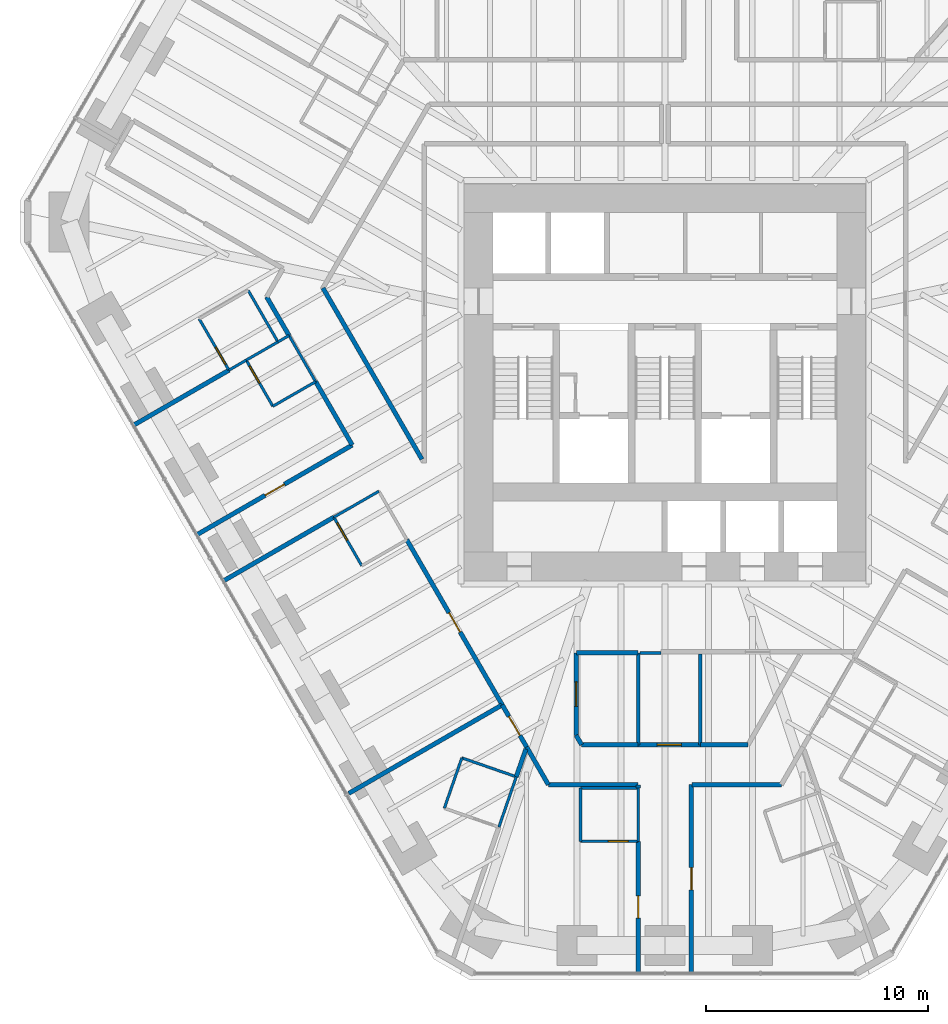
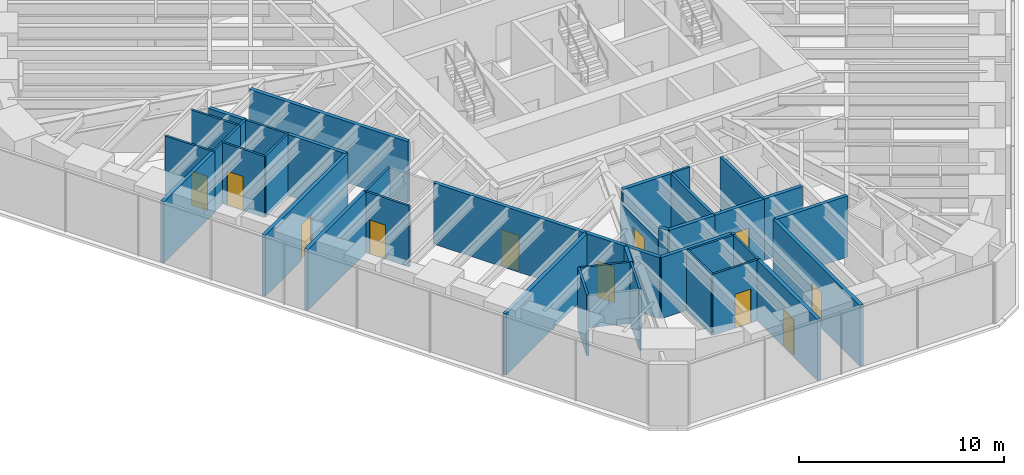
# One storey, part 11 of 16: 42 walls, 11 doors, 11 openings.
"""IFC4 building model written with IfcOpenShell, lengths in metres."""

from ifc_helpers import new_model, si_unit, direction, frame, frame_2d, origin, place, context, subcontext, project, spatial, rectangle, extrude, material, layer, layer_set, type_object, element, fill, save


model = new_model("IFC4")

# Units and contexts
model_context = context("Model", 3, precision=1e-05, world=origin(), true_north=direction((0.0, 1.0)))
body_context = subcontext(model_context, "Body", "Model", "MODEL_VIEW")
ifc_project = project(units=[si_unit("LENGTHUNIT", "METRE"), si_unit("AREAUNIT", "SQUARE_METRE"), si_unit("VOLUMEUNIT", "CUBIC_METRE"), si_unit("PLANEANGLEUNIT", "RADIAN"), si_unit("MASSUNIT", "GRAM", prefix="KILO")], contexts=[model_context])

# Site, building, storey
site_placement = place(None, origin())
site = spatial("IfcSite", under=ifc_project, at=site_placement, CompositionType="ELEMENT")
building_placement = place(site_placement, origin())
building = spatial("IfcBuilding", under=site, at=building_placement, Name="Sandreach Pilgrim Tower", CompositionType="ELEMENT")
storey_placement = place(building_placement, frame((0.0, 0.0, 131.0)))
storey = spatial("IfcBuildingStorey", under=building, at=storey_placement, Name="L32", CompositionType="ELEMENT", Elevation=131.0)

# Walls
ifc_material_1 = material(Name="Gypsum board on steel studs", Category="steel")
ifc_layer_1 = layer(ifc_material_1, 0.14990234375)
ifc_layer_set_1 = layer_set([ifc_layer_1], Name="Back of house wall 150")
wall_type_1 = type_object("IfcWallType", Name="Back of house wall 150", PredefinedType="PARTITIONING", material=ifc_layer_set_1)
wall_1_placement = place(storey_placement, frame((-1.199951171875, -13.75, 0.0), z_axis=(0.0, 0.0, 1.0), x_axis=(0.0, -1.0, 0.0)))
element("IfcWall", 1, at=wall_1_placement, inside=storey, type_object=wall_type_1, Name="Back of house wall L32-064", PredefinedType="PARTITIONING", context=body_context, shape_type="SweptSolid", body=[
    extrude(rectangle(XDim=4.139892578125, YDim=0.14990234375, at=frame_2d((2.06982421875, 0.0))), origin(), (0.0, 0.0, 1.0), 3.639892578125),
])
wall_2_placement = place(storey_placement, frame((1.60009765625, -13.800048828125, 0.0), z_axis=(0.0, 0.0, 1.0), x_axis=(0.0, -1.0, 0.0)))
element("IfcWall", 2, at=wall_2_placement, inside=storey, type_object=wall_type_1, Name="Back of house wall L32-075", PredefinedType="PARTITIONING", context=body_context, shape_type="SweptSolid", body=[
    extrude(rectangle(XDim=4.08984375, YDim=0.14990234375, at=frame_2d((2.044921875, 0.0))), origin(), (0.0, 0.0, 1.0), 3.639892578125),
])

# Wall, opening, door
ifc_material_2 = material(Name="Moisture-resistant gypsum board on steel studs", Category="steel")
ifc_layer_2 = layer(ifc_material_2, 0.1201171875)
ifc_layer_set_2 = layer_set([ifc_layer_2], Name="Bathroom partition 120")
wall_type_2 = type_object("IfcWallType", Name="Bathroom partition 120", PredefinedType="PARTITIONING", material=ifc_layer_set_2)
wall_3_placement = place(storey_placement, frame((-20.989990234375, 1.31005859375, 0.0), z_axis=(0.0, 0.0, 1.0), x_axis=(0.501789229896, -0.86498992408, 0.0)))
wall_3 = element("IfcWall", 3, at=wall_3_placement, inside=storey, type_object=wall_type_2, Name="Bathroom partition L32-007", PredefinedType="PARTITIONING", context=body_context, shape_type="SweptSolid", body=[
    extrude(rectangle(XDim=2.670654296875, YDim=0.1201171875, at=frame_2d((1.33544921875, 0.0))), origin(), (0.0, 0.0, 1.0), 3.639892578125),
])
opening_1_placement = place(wall_3_placement, frame((1.470458984375, 0.0, 0.0)))
opening_1 = element("IfcOpeningElement", 4, at=opening_1_placement, cuts=wall_3, Name="Opening D09-15B", PredefinedType="OPENING", context=body_context, shape_type="SweptSolid", body=[
    extrude(rectangle(XDim=0.89990234375, YDim=2.030029296875, at=frame_2d((0.449951171875, 1.01513671875))), frame((0.0, 0.06005859375, 0.0), z_axis=(0.0, -1.0, 0.0), x_axis=(1.0, 0.0, 0.0)), (0.0, 0.0, 1.0), 0.1201171875),
])
ifc_material_3 = material(Name="Timber door, steel frame", Category="steel")
door_type_1 = type_object("IfcDoorType", Name="Bathroom door", OperationType="SINGLE_SWING_LEFT", PredefinedType="DOOR", material=ifc_material_3)
door_1_placement = place(opening_1_placement, origin())
door_1 = element("IfcDoor", 5, at=door_1_placement, inside=storey, type_object=door_type_1, Name="Door 3215B", OperationType="SINGLE_SWING_RIGHT", OverallHeight=2.030029296875, OverallWidth=0.89990234375, PredefinedType="DOOR", context=body_context, shape_type="SweptSolid", body=[
    extrude(rectangle(XDim=0.89990234375, YDim=2.030029296875, at=frame_2d((0.449951171875, 1.01513671875))), frame((0.0, 0.02490234375, 0.0), z_axis=(0.0, -1.0, 0.0), x_axis=(1.0, 0.0, 0.0)), (0.0, 0.0, 1.0), 0.050048828125),
])
fill(opening_1, door_1)

# Wall
wall_4_placement = place(storey_placement, frame((-19.648193359375, -1.0029296875, 0.0), z_axis=(0.0, 0.0, 1.0), x_axis=(0.864260452894, 0.503044599974, 0.0)))
element("IfcWall", 6, at=wall_4_placement, inside=storey, type_object=wall_type_2, Name="Bathroom partition L32-009", PredefinedType="PARTITIONING", context=body_context, shape_type="SweptSolid", body=[
    extrude(rectangle(XDim=0.900390625, YDim=0.1201171875, at=frame_2d((0.4501953125, 0.0))), origin(), (0.0, 0.0, 1.0), 3.639892578125),
])

# Wall, opening, door
wall_5_placement = place(storey_placement, frame((-18.8701171875, -0.550048828125, 0.0), z_axis=(0.0, 0.0, 1.0), x_axis=(0.499813401482, -0.866133109688, 0.0)))
wall_5 = element("IfcWall", 7, at=wall_5_placement, inside=storey, type_object=wall_type_2, Name="Bathroom partition L32-010", PredefinedType="PARTITIONING", context=body_context, shape_type="SweptSolid", body=[
    extrude(rectangle(XDim=2.4013671875, YDim=0.1201171875, at=frame_2d((1.20068359375, 0.0))), origin(), (0.0, 0.0, 1.0), 3.639892578125),
])
opening_2_placement = place(wall_5_placement, frame((0.300048828125, 0.0, 0.0)))
opening_2 = element("IfcOpeningElement", 8, at=opening_2_placement, cuts=wall_5, Name="Opening D09-14B", PredefinedType="OPENING", context=body_context, shape_type="SweptSolid", body=[
    extrude(rectangle(XDim=0.89990234375, YDim=2.030029296875, at=frame_2d((0.449951171875, 1.01513671875))), frame((0.0, 0.06005859375, 0.0), z_axis=(0.0, -1.0, 0.0), x_axis=(1.0, 0.0, 0.0)), (0.0, 0.0, 1.0), 0.1201171875),
])
door_2_placement = place(opening_2_placement, origin())
door_2 = element("IfcDoor", 9, at=door_2_placement, inside=storey, type_object=door_type_1, Name="Door 3214B", OperationType="SINGLE_SWING_LEFT", OverallHeight=2.030029296875, OverallWidth=0.89990234375, PredefinedType="DOOR", context=body_context, shape_type="SweptSolid", body=[
    extrude(rectangle(XDim=0.89990234375, YDim=2.030029296875, at=frame_2d((0.449951171875, 1.01513671875))), frame((0.0, 0.02490234375, 0.0), z_axis=(0.0, -1.0, 0.0), x_axis=(1.0, 0.0, 0.0)), (0.0, 0.0, 1.0), 0.050048828125),
])
fill(opening_2, door_2)

# Walls
wall_6_placement = place(storey_placement, frame((-18.8701171875, -0.550048828125, 0.0), z_axis=(0.0, 0.0, 1.0), x_axis=(0.867504015586, 0.497430178961, 0.0)))
element("IfcWall", 10, at=wall_6_placement, inside=storey, type_object=wall_type_2, Name="Bathroom partition L32-011", PredefinedType="PARTITIONING", context=body_context, shape_type="SweptSolid", body=[
    extrude(rectangle(XDim=1.648681640625, YDim=0.1201171875, at=frame_2d((0.82421875, 0.0))), origin(), (0.0, 0.0, 1.0), 3.639892578125),
])
wall_7_placement = place(storey_placement, frame((-17.669921875, -2.6298828125, 0.0), z_axis=(0.0, 0.0, 1.0), x_axis=(0.86687668408, 0.498522631983, 0.0)))
element("IfcWall", 11, at=wall_7_placement, inside=storey, type_object=wall_type_2, Name="Bathroom partition L32-014", PredefinedType="PARTITIONING", context=body_context, shape_type="SweptSolid", body=[
    extrude(rectangle(XDim=2.226318359375, YDim=0.1201171875, at=frame_2d((1.11328125, 0.0))), origin(), (0.0, 0.0, 1.0), 3.639892578125),
])
wall_8_placement = place(storey_placement, frame((-17.43994140625, 0.27001953125, 0.0), z_axis=(0.0, 0.0, 1.0), x_axis=(-0.500166770141, 0.865929097586, 0.0)))
element("IfcWall", 12, at=wall_8_placement, inside=storey, type_object=wall_type_2, Name="Bathroom partition L32-015", PredefinedType="PARTITIONING", context=body_context, shape_type="SweptSolid", body=[
    extrude(rectangle(XDim=2.67919921875, YDim=0.1201171875, at=frame_2d((1.339599609375, 0.0))), origin(), (0.0, 0.0, 1.0), 3.639892578125),
])
wall_9_placement = place(storey_placement, frame((-17.43994140625, 0.27001953125, 0.0), z_axis=(0.0, 0.0, 1.0), x_axis=(0.865001858693, 0.501768656312, 0.0)))
element("IfcWall", 13, at=wall_9_placement, inside=storey, type_object=wall_type_2, Name="Bathroom partition L32-016", PredefinedType="PARTITIONING", context=body_context, shape_type="SweptSolid", body=[
    extrude(rectangle(XDim=0.578125, YDim=0.1201171875, at=frame_2d((0.2890625, 0.0))), origin(), (0.0, 0.0, 1.0), 3.639892578125),
])
wall_10_placement = place(storey_placement, frame((-16.93994140625, 0.56005859375, 0.0), z_axis=(0.0, 0.0, 1.0), x_axis=(0.499693115345, -0.866202511239, 0.0)))
element("IfcWall", 14, at=wall_10_placement, inside=storey, type_object=wall_type_2, Name="Bathroom partition L32-018", PredefinedType="PARTITIONING", context=body_context, shape_type="SweptSolid", body=[
    extrude(rectangle(XDim=2.4013671875, YDim=0.1201171875, at=frame_2d((1.20068359375, 0.0))), origin(), (0.0, 0.0, 1.0), 3.639892578125),
])

# Wall, opening, door
wall_11_placement = place(storey_placement, frame((-14.919921875, -7.6298828125, 0.0), z_axis=(0.0, 0.0, 1.0), x_axis=(0.498665353881, -0.866794592068, 0.0)))
wall_11 = element("IfcWall", 15, at=wall_11_placement, inside=storey, type_object=wall_type_2, Name="Bathroom partition L32-027", PredefinedType="PARTITIONING", context=body_context, shape_type="SweptSolid", body=[
    extrude(rectangle(XDim=2.52685546875, YDim=0.1201171875, at=frame_2d((1.263427734375, 0.0))), origin(), (0.0, 0.0, 1.0), 3.639892578125),
])
opening_3_placement = place(wall_11_placement, frame((0.300048828125, 0.0, 0.0)))
opening_3 = element("IfcOpeningElement", 16, at=opening_3_placement, cuts=wall_11, Name="Opening D09-13B", PredefinedType="OPENING", context=body_context, shape_type="SweptSolid", body=[
    extrude(rectangle(XDim=0.89990234375, YDim=2.030029296875, at=frame_2d((0.449951171875, 1.01513671875))), frame((0.0, 0.06005859375, 0.0), z_axis=(0.0, -1.0, 0.0), x_axis=(1.0, 0.0, 0.0)), (0.0, 0.0, 1.0), 0.1201171875),
])
door_3_placement = place(opening_3_placement, origin())
door_3 = element("IfcDoor", 17, at=door_3_placement, inside=storey, type_object=door_type_1, Name="Door 3213B", OperationType="SINGLE_SWING_LEFT", OverallHeight=2.030029296875, OverallWidth=0.89990234375, PredefinedType="DOOR", context=body_context, shape_type="SweptSolid", body=[
    extrude(rectangle(XDim=0.89990234375, YDim=2.030029296875, at=frame_2d((0.449951171875, 1.01513671875))), frame((0.0, 0.02490234375, 0.0), z_axis=(0.0, -1.0, 0.0), x_axis=(1.0, 0.0, 0.0)), (0.0, 0.0, 1.0), 0.050048828125),
])
fill(opening_3, door_3)

# Walls
wall_12_placement = place(storey_placement, frame((-14.919921875, -7.6298828125, 0.0), z_axis=(0.0, 0.0, 1.0), x_axis=(0.866390229467, 0.499367570316, 0.0)))
element("IfcWall", 18, at=wall_12_placement, inside=storey, type_object=wall_type_2, Name="Bathroom partition L32-028", PredefinedType="PARTITIONING", context=body_context, shape_type="SweptSolid", body=[
    extrude(rectangle(XDim=2.3427734375, YDim=0.1201171875, at=frame_2d((1.17138671875, 0.0))), origin(), (0.0, 0.0, 1.0), 3.639892578125),
])
wall_13_placement = place(storey_placement, frame((-9.14990234375, -18.47998046875, 0.0), z_axis=(0.0, 0.0, 1.0), x_axis=(-0.328693963496, -0.944436487203, 0.0)))
element("IfcWall", 19, at=wall_13_placement, inside=storey, type_object=wall_type_2, Name="Bathroom partition L32-047", PredefinedType="PARTITIONING", context=body_context, shape_type="SweptSolid", body=[
    extrude(rectangle(XDim=2.403564453125, YDim=0.1201171875, at=frame_2d((1.20166015625, 0.0))), origin(), (0.0, 0.0, 1.0), 3.639892578125),
])
wall_14_placement = place(storey_placement, frame((-7.47998046875, -21.60009765625, 0.0), z_axis=(0.0, 0.0, 1.0), x_axis=(0.326492166492, 0.945199907543, 0.0)))
element("IfcWall", 20, at=wall_14_placement, inside=storey, type_object=wall_type_2, Name="Bathroom partition L32-048", PredefinedType="PARTITIONING", context=body_context, shape_type="SweptSolid", body=[
    extrude(rectangle(XDim=2.400390625, YDim=0.1201171875, at=frame_2d((1.2001953125, 0.0))), origin(), (0.0, 0.0, 1.0), 3.639892578125),
])
wall_15_placement = place(storey_placement, frame((-6.699951171875, -19.330078125, 0.0), z_axis=(0.0, 0.0, 1.0), x_axis=(-0.944753042377, 0.327782990589, 0.0)))
element("IfcWall", 21, at=wall_15_placement, inside=storey, type_object=wall_type_2, Name="Bathroom partition L32-050", PredefinedType="PARTITIONING", context=body_context, shape_type="SweptSolid", body=[
    extrude(rectangle(XDim=2.593505859375, YDim=0.1201171875, at=frame_2d((1.296875, 0.0))), origin(), (0.0, 0.0, 1.0), 3.639892578125),
])

# Wall, opening, door
wall_16_placement = place(storey_placement, frame((-3.800048828125, -22.239990234375, 0.0), z_axis=(0.0, 0.0, 1.0), x_axis=(1.0, 0.0, 0.0)))
wall_16 = element("IfcWall", 22, at=wall_16_placement, inside=storey, type_object=wall_type_2, Name="Bathroom partition L32-056", PredefinedType="PARTITIONING", context=body_context, shape_type="SweptSolid", body=[
    extrude(rectangle(XDim=2.60009765625, YDim=0.1201171875, at=frame_2d((1.300048828125, 0.0))), origin(), (0.0, 0.0, 1.0), 3.639892578125),
])
opening_4_placement = place(wall_16_placement, frame((1.25, 0.0, 0.0)))
opening_4 = element("IfcOpeningElement", 23, at=opening_4_placement, cuts=wall_16, Name="Opening D09-11B", PredefinedType="OPENING", context=body_context, shape_type="SweptSolid", body=[
    extrude(rectangle(XDim=0.89990234375, YDim=2.030029296875, at=frame_2d((0.449951171875, 1.01513671875))), frame((0.0, 0.06005859375, 0.0), z_axis=(0.0, -1.0, 0.0), x_axis=(1.0, 0.0, 0.0)), (0.0, 0.0, 1.0), 0.1201171875),
])
door_4_placement = place(opening_4_placement, origin())
door_4 = element("IfcDoor", 24, at=door_4_placement, inside=storey, type_object=door_type_1, Name="Door 3211B", OperationType="SINGLE_SWING_RIGHT", OverallHeight=2.030029296875, OverallWidth=0.89990234375, PredefinedType="DOOR", context=body_context, shape_type="SweptSolid", body=[
    extrude(rectangle(XDim=0.89990234375, YDim=2.030029296875, at=frame_2d((0.449951171875, 1.01513671875))), frame((0.0, 0.02490234375, 0.0), z_axis=(0.0, -1.0, 0.0), x_axis=(1.0, 0.0, 0.0)), (0.0, 0.0, 1.0), 0.050048828125),
])
fill(opening_4, door_4)

# Walls
wall_17_placement = place(storey_placement, frame((-3.800048828125, -19.840087890625, 0.0), z_axis=(0.0, 0.0, 1.0), x_axis=(0.0, -1.0, 0.0)))
element("IfcWall", 25, at=wall_17_placement, inside=storey, type_object=wall_type_2, Name="Bathroom partition L32-057", PredefinedType="PARTITIONING", context=body_context, shape_type="SweptSolid", body=[
    extrude(rectangle(XDim=2.39990234375, YDim=0.1201171875, at=frame_2d((1.199951171875, 0.0))), origin(), (0.0, 0.0, 1.0), 3.639892578125),
])
wall_18_placement = place(storey_placement, frame((-1.199951171875, -19.840087890625, 0.0), z_axis=(0.0, 0.0, 1.0), x_axis=(-1.0, 0.0, 0.0)))
element("IfcWall", 26, at=wall_18_placement, inside=storey, type_object=wall_type_2, Name="Bathroom partition L32-060", PredefinedType="PARTITIONING", context=body_context, shape_type="SweptSolid", body=[
    extrude(rectangle(XDim=2.60009765625, YDim=0.1201171875, at=frame_2d((1.300048828125, 0.0))), origin(), (0.0, 0.0, 1.0), 3.639892578125),
])
wall_19_placement = place(storey_placement, frame((-1.199951171875, -19.840087890625, 0.0), z_axis=(0.0, 0.0, 1.0), x_axis=(0.0, -1.0, 0.0)))
element("IfcWall", 27, at=wall_19_placement, inside=storey, type_object=wall_type_2, Name="Bathroom partition L32-061", PredefinedType="PARTITIONING", context=body_context, shape_type="SweptSolid", body=[
    extrude(rectangle(XDim=2.39990234375, YDim=0.1201171875, at=frame_2d((1.199951171875, 0.0))), origin(), (0.0, 0.0, 1.0), 3.639892578125),
])
wall_20_placement = place(storey_placement, frame((-1.125, -13.75, 0.0), z_axis=(0.0, 0.0, 1.0), x_axis=(1.0, 0.0, 0.0)))
element("IfcWall", 28, at=wall_20_placement, inside=storey, type_object=wall_type_2, Name="Bathroom partition L32-065", PredefinedType="PARTITIONING", context=body_context, shape_type="SweptSolid", body=[
    extrude(rectangle(XDim=0.955078125, YDim=0.1201171875, at=frame_2d((0.4775390625, 0.0))), origin(), (0.0, 0.0, 1.0), 3.639892578125),
])
ifc_material_4 = material(Name="Gypsum board on steel studs, two layers each side", Category="steel")
ifc_layer_3 = layer(ifc_material_4, 0.199951171875)
ifc_layer_set_3 = layer_set([ifc_layer_3], Name="Corridor wall 200")
wall_type_3 = type_object("IfcWallType", Name="Corridor wall 200", PredefinedType="PARTITIONING", material=ifc_layer_set_3)
wall_21_placement = place(storey_placement, frame((-19.884033203125, -10.4951171875, 0.0), z_axis=(0.0, 0.0, 1.0), x_axis=(0.86608558139, 0.499895754841, 0.0)))
element("IfcWall", 29, at=wall_21_placement, inside=storey, type_object=wall_type_3, Name="Corridor wall L32-008", PredefinedType="PARTITIONING", context=body_context, shape_type="SweptSolid", body=[
    extrude(rectangle(XDim=5.731689453125, YDim=0.199951171875, at=frame_2d((2.86572265625, 0.0))), origin(), (0.0, 0.0, 1.0), 3.639892578125),
])
wall_22_placement = place(storey_placement, frame((-17.949951171875, 2.300048828125, 0.0), z_axis=(0.0, 0.0, 1.0), x_axis=(0.502021340952, -0.864855232527, 0.0)))
element("IfcWall", 30, at=wall_22_placement, inside=storey, type_object=wall_type_3, Name="Corridor wall L32-013", PredefinedType="PARTITIONING", context=body_context, shape_type="SweptSolid", body=[
    extrude(rectangle(XDim=2.011962890625, YDim=0.199951171875, at=frame_2d((1.005859375, 0.0))), origin(), (0.0, 0.0, 1.0), 3.639892578125),
])
wall_23_placement = place(storey_placement, frame((-15.739990234375, -1.52001953125, 0.0), z_axis=(0.0, 0.0, 1.0), x_axis=(0.499728874041, -0.866181881853, 0.0)))
element("IfcWall", 31, at=wall_23_placement, inside=storey, type_object=wall_type_3, Name="Corridor wall L32-023", PredefinedType="PARTITIONING", context=body_context, shape_type="SweptSolid", body=[
    extrude(rectangle(XDim=3.291748046875, YDim=0.199951171875, at=frame_2d((1.64599609375, 0.0))), origin(), (0.0, 0.0, 1.0), 3.639892578125),
])

# Wall, opening, door
wall_24_placement = place(storey_placement, frame((-14.090087890625, -4.3798828125, 0.0), z_axis=(0.0, 0.0, 1.0), x_axis=(-0.866174008169, -0.499742521277, 0.0)))
wall_24 = element("IfcWall", 32, at=wall_24_placement, inside=storey, type_object=wall_type_3, Name="Corridor wall L32-032", PredefinedType="PARTITIONING", context=body_context, shape_type="SweptSolid", body=[
    extrude(rectangle(XDim=8.074462890625, YDim=0.199951171875, at=frame_2d((4.037109375, 0.0))), origin(), (0.0, 0.0, 1.0), 3.639892578125),
])
opening_5_placement = place(wall_24_placement, frame((3.537353515625, 0.0, 0.0)))
opening_5 = element("IfcOpeningElement", 33, at=opening_5_placement, cuts=wall_24, Name="Opening D10-14", PredefinedType="OPENING", context=body_context, shape_type="SweptSolid", body=[
    extrude(rectangle(XDim=1.0, YDim=2.1298828125, at=frame_2d((0.5, 1.06494140625))), frame((0.0, 0.10009765625, 0.0), z_axis=(0.0, -1.0, 0.0), x_axis=(1.0, 0.0, 0.0)), (0.0, 0.0, 1.0), 0.199951171875),
])
ifc_material_5 = material(Name="Steel door and frame", Category="steel")
door_type_2 = type_object("IfcDoorType", Name="Guest room entry door", OperationType="SINGLE_SWING_LEFT", PredefinedType="DOOR", material=ifc_material_5)
door_5_placement = place(opening_5_placement, origin())
door_5 = element("IfcDoor", 34, at=door_5_placement, inside=storey, type_object=door_type_2, Name="Door 3214", OperationType="SINGLE_SWING_LEFT", OverallHeight=2.1298828125, OverallWidth=1.0, PredefinedType="DOOR", context=body_context, shape_type="SweptSolid", body=[
    extrude(rectangle(XDim=1.0, YDim=2.1298828125, at=frame_2d((0.5, 1.06494140625))), frame((0.0, 0.02490234375, 0.0), z_axis=(0.0, -1.0, 0.0), x_axis=(1.0, 0.0, 0.0)), (0.0, 0.0, 1.0), 0.050048828125),
])
fill(opening_5, door_5)

wall_25_placement = place(storey_placement, frame((-11.6298828125, -8.64990234375, 0.0), z_axis=(0.0, 0.0, 1.0), x_axis=(0.500367528775, -0.865813106939, 0.0)))
wall_25 = element("IfcWall", 35, at=wall_25_placement, inside=storey, type_object=wall_type_3, Name="Corridor wall L32-039", PredefinedType="PARTITIONING", context=body_context, shape_type="SweptSolid", body=[
    extrude(rectangle(XDim=8.59326171875, YDim=0.199951171875, at=frame_2d((4.296630859375, 0.0))), origin(), (0.0, 0.0, 1.0), 3.639892578125),
])
opening_6_placement = place(wall_25_placement, frame((3.796630859375, 0.0, 0.0)))
opening_6 = element("IfcOpeningElement", 36, at=opening_6_placement, cuts=wall_25, Name="Opening D10-13", PredefinedType="OPENING", context=body_context, shape_type="SweptSolid", body=[
    extrude(rectangle(XDim=1.0, YDim=2.1298828125, at=frame_2d((0.5, 1.06494140625))), frame((0.0, 0.10009765625, 0.0), z_axis=(0.0, -1.0, 0.0), x_axis=(1.0, 0.0, 0.0)), (0.0, 0.0, 1.0), 0.199951171875),
])
door_6_placement = place(opening_6_placement, origin())
door_6 = element("IfcDoor", 37, at=door_6_placement, inside=storey, type_object=door_type_2, Name="Door 3213", OperationType="SINGLE_SWING_LEFT", OverallHeight=2.1298828125, OverallWidth=1.0, PredefinedType="DOOR", context=body_context, shape_type="SweptSolid", body=[
    extrude(rectangle(XDim=1.0, YDim=2.1298828125, at=frame_2d((0.5, 1.06494140625))), frame((0.0, 0.02490234375, 0.0), z_axis=(0.0, -1.0, 0.0), x_axis=(1.0, 0.0, 0.0)), (0.0, 0.0, 1.0), 0.050048828125),
])
fill(opening_6, door_6)

# Wall
wall_26_placement = place(storey_placement, frame((-10.947509765625, -5.021240234375, 0.0), z_axis=(0.0, 0.0, 1.0), x_axis=(-0.500384322182, 0.865803401538, 0.0)))
element("IfcWall", 38, at=wall_26_placement, inside=storey, type_object=wall_type_3, Name="Corridor wall L32-040", PredefinedType="PARTITIONING", context=body_context, shape_type="SweptSolid", body=[
    extrude(rectangle(XDim=8.91796875, YDim=0.199951171875, at=frame_2d((4.458984375, 0.0))), origin(), (0.0, 0.0, 1.0), 3.639892578125),
])

# Wall, opening, door
wall_27_placement = place(storey_placement, frame((-7.330078125, -16.090087890625, 0.0), z_axis=(0.0, 0.0, 1.0), x_axis=(0.501088872721, -0.865395829453, 0.0)))
wall_27 = element("IfcWall", 39, at=wall_27_placement, inside=storey, type_object=wall_type_3, Name="Corridor wall L32-049", PredefinedType="PARTITIONING", context=body_context, shape_type="SweptSolid", body=[
    extrude(rectangle(XDim=2.1953125, YDim=0.199951171875, at=frame_2d((1.09765625, 0.0))), origin(), (0.0, 0.0, 1.0), 3.639892578125),
])
opening_7_placement = place(wall_27_placement, frame((0.59765625, 0.0, 0.0)))
opening_7 = element("IfcOpeningElement", 40, at=opening_7_placement, cuts=wall_27, Name="Opening D10-12", PredefinedType="OPENING", context=body_context, shape_type="SweptSolid", body=[
    extrude(rectangle(XDim=1.0, YDim=2.1298828125, at=frame_2d((0.5, 1.06494140625))), frame((0.0, 0.10009765625, 0.0), z_axis=(0.0, -1.0, 0.0), x_axis=(1.0, 0.0, 0.0)), (0.0, 0.0, 1.0), 0.199951171875),
])
door_7_placement = place(opening_7_placement, origin())
door_7 = element("IfcDoor", 41, at=door_7_placement, inside=storey, type_object=door_type_2, Name="Door 3212", OperationType="SINGLE_SWING_LEFT", OverallHeight=2.1298828125, OverallWidth=1.0, PredefinedType="DOOR", context=body_context, shape_type="SweptSolid", body=[
    extrude(rectangle(XDim=1.0, YDim=2.1298828125, at=frame_2d((0.5, 1.06494140625))), frame((0.0, 0.02490234375, 0.0), z_axis=(0.0, -1.0, 0.0), x_axis=(1.0, 0.0, 0.0)), (0.0, 0.0, 1.0), 0.050048828125),
])
fill(opening_7, door_7)

# Walls
wall_28_placement = place(storey_placement, frame((-6.22998046875, -17.989990234375, 0.0), z_axis=(0.0, 0.0, 1.0), x_axis=(0.499431599995, -0.866353321068, 0.0)))
element("IfcWall", 42, at=wall_28_placement, inside=storey, type_object=wall_type_3, Name="Corridor wall L32-052", PredefinedType="PARTITIONING", context=body_context, shape_type="SweptSolid", body=[
    extrude(rectangle(XDim=1.962158203125, YDim=0.199951171875, at=frame_2d((0.98095703125, 0.0))), origin(), (0.0, 0.0, 1.0), 3.639892578125),
])
wall_29_placement = place(storey_placement, frame((-5.25, -19.68994140625, 0.0), z_axis=(0.0, 0.0, 1.0), x_axis=(1.0, 0.0, 0.0)))
element("IfcWall", 43, at=wall_29_placement, inside=storey, type_object=wall_type_3, Name="Corridor wall L32-053", PredefinedType="PARTITIONING", context=body_context, shape_type="SweptSolid", body=[
    extrude(rectangle(XDim=4.050048828125, YDim=0.199951171875, at=frame_2d((2.02490234375, 0.0))), origin(), (0.0, 0.0, 1.0), 3.639892578125),
])

# Wall, opening, door
wall_30_placement = place(storey_placement, frame((-4.0, -17.4599609375, 0.0), z_axis=(0.0, 0.0, 1.0), x_axis=(0.0, 1.0, 0.0)))
wall_30 = element("IfcWall", 44, at=wall_30_placement, inside=storey, type_object=wall_type_3, Name="Corridor wall L32-054", PredefinedType="PARTITIONING", context=body_context, shape_type="SweptSolid", body=[
    extrude(rectangle(XDim=3.7099609375, YDim=0.199951171875, at=frame_2d((1.85498046875, 0.0))), origin(), (0.0, 0.0, 1.0), 2.8779296875),
])
opening_8_placement = place(wall_30_placement, frame((1.304931640625, 0.0, 0.0)))
opening_8 = element("IfcOpeningElement", 45, at=opening_8_placement, cuts=wall_30, Name="Opening D11H-S2", PredefinedType="OPENING", context=body_context, shape_type="SweptSolid", body=[
    extrude(rectangle(XDim=1.10009765625, YDim=2.199951171875, at=frame_2d((0.550048828125, 1.10009765625))), frame((0.0, 0.10009765625, 0.0), z_axis=(0.0, -1.0, 0.0), x_axis=(1.0, 0.0, 0.0)), (0.0, 0.0, 1.0), 0.199951171875),
])
ifc_material_6 = material(Name="Steel door and frame", Category="steel")
door_type_3 = type_object("IfcDoorType", Name="Back of house door", OperationType="SINGLE_SWING_LEFT", PredefinedType="DOOR", material=ifc_material_6)
door_8_placement = place(opening_8_placement, origin())
door_8 = element("IfcDoor", 46, at=door_8_placement, inside=storey, type_object=door_type_3, Name="Door 32S2", OperationType="SINGLE_SWING_LEFT", OverallHeight=2.199951171875, OverallWidth=1.10009765625, PredefinedType="DOOR", context=body_context, shape_type="SweptSolid", body=[
    extrude(rectangle(XDim=1.10009765625, YDim=2.199951171875, at=frame_2d((0.550048828125, 1.10009765625))), frame((0.0, 0.02490234375, 0.0), z_axis=(0.0, -1.0, 0.0), x_axis=(1.0, 0.0, 0.0)), (0.0, 0.0, 1.0), 0.050048828125),
])
fill(opening_8, door_8)

# Walls
wall_31_placement = place(storey_placement, frame((-3.989990234375, -13.75, 0.0), z_axis=(0.0, 0.0, 1.0), x_axis=(1.0, 0.0, 0.0)))
element("IfcWall", 47, at=wall_31_placement, inside=storey, type_object=wall_type_3, Name="Corridor wall L32-055", PredefinedType="PARTITIONING", context=body_context, shape_type="SweptSolid", body=[
    extrude(rectangle(XDim=2.7900390625, YDim=0.199951171875, at=frame_2d((1.39501953125, 0.0))), origin(), (0.0, 0.0, 1.0), 3.639892578125),
])
wall_32_placement = place(storey_placement, frame((-3.75, -17.889892578125, 0.0), z_axis=(0.0, 0.0, 1.0), x_axis=(-0.502680181512, 0.864472460588, 0.0)))
element("IfcWall", 48, at=wall_32_placement, inside=storey, type_object=wall_type_3, Name="Corridor wall L32-058", PredefinedType="PARTITIONING", context=body_context, shape_type="SweptSolid", body=[
    extrude(rectangle(XDim=0.497314453125, YDim=0.199951171875, at=frame_2d((0.24853515625, 0.0))), origin(), (0.0, 0.0, 1.0), 3.639892578125),
])

# Wall, opening, door
wall_33_placement = place(storey_placement, frame((-1.199951171875, -22.239990234375, 0.0), z_axis=(0.0, 0.0, 1.0), x_axis=(0.0, -1.0, 0.0)))
wall_33 = element("IfcWall", 49, at=wall_33_placement, inside=storey, type_object=wall_type_3, Name="Corridor wall L32-059", PredefinedType="PARTITIONING", context=body_context, shape_type="SweptSolid", body=[
    extrude(rectangle(XDim=5.919921875, YDim=0.199951171875, at=frame_2d((2.9599609375, 0.0))), origin(), (0.0, 0.0, 1.0), 3.639892578125),
])
opening_9_placement = place(wall_33_placement, frame((2.4599609375, 0.0, 0.0)))
opening_9 = element("IfcOpeningElement", 50, at=opening_9_placement, cuts=wall_33, Name="Opening D10-11", PredefinedType="OPENING", context=body_context, shape_type="SweptSolid", body=[
    extrude(rectangle(XDim=1.0, YDim=2.1298828125, at=frame_2d((0.5, 1.06494140625))), frame((0.0, 0.10009765625, 0.0), z_axis=(0.0, -1.0, 0.0), x_axis=(1.0, 0.0, 0.0)), (0.0, 0.0, 1.0), 0.199951171875),
])
door_9_placement = place(opening_9_placement, origin())
door_9 = element("IfcDoor", 51, at=door_9_placement, inside=storey, type_object=door_type_2, Name="Door 3211", OperationType="SINGLE_SWING_LEFT", OverallHeight=2.1298828125, OverallWidth=1.0, PredefinedType="DOOR", context=body_context, shape_type="SweptSolid", body=[
    extrude(rectangle(XDim=1.0, YDim=2.1298828125, at=frame_2d((0.5, 1.06494140625))), frame((0.0, 0.02490234375, 0.0), z_axis=(0.0, -1.0, 0.0), x_axis=(1.0, 0.0, 0.0)), (0.0, 0.0, 1.0), 0.050048828125),
])
fill(opening_9, door_9)

# Walls
wall_34_placement = place(storey_placement, frame((-1.199951171875, -19.699951171875, 0.0), z_axis=(0.0, 0.0, 1.0), x_axis=(0.0, -1.0, 0.0)))
element("IfcWall", 52, at=wall_34_placement, inside=storey, type_object=wall_type_3, Name="Corridor wall L32-062", PredefinedType="PARTITIONING", context=body_context, shape_type="SweptSolid", body=[
    extrude(rectangle(XDim=0.14013671875, YDim=0.199951171875, at=frame_2d((0.070068359375, 0.0))), origin(), (0.0, 0.0, 1.0), 3.639892578125),
])
wall_35_placement = place(storey_placement, frame((-1.199951171875, -17.889892578125, 0.0), z_axis=(0.0, 0.0, 1.0), x_axis=(-1.0, 0.0, 0.0)))
element("IfcWall", 53, at=wall_35_placement, inside=storey, type_object=wall_type_3, Name="Corridor wall L32-063", PredefinedType="PARTITIONING", context=body_context, shape_type="SweptSolid", body=[
    extrude(rectangle(XDim=2.550048828125, YDim=0.199951171875, at=frame_2d((1.27490234375, 0.0))), origin(), (0.0, 0.0, 1.0), 3.639892578125),
])

# Wall, opening, door
wall_36_placement = place(storey_placement, frame((1.199951171875, -28.159912109375, 0.0), z_axis=(0.0, 0.0, 1.0), x_axis=(0.0, 1.0, 0.0)))
wall_36 = element("IfcWall", 54, at=wall_36_placement, inside=storey, type_object=wall_type_3, Name="Corridor wall L32-072", PredefinedType="PARTITIONING", context=body_context, shape_type="SweptSolid", body=[
    extrude(rectangle(XDim=8.469970703125, YDim=0.199951171875, at=frame_2d((4.23486328125, 0.0))), origin(), (0.0, 0.0, 1.0), 3.639892578125),
])
opening_10_placement = place(wall_36_placement, frame((3.735107421875, 0.0, 0.0)))
opening_10 = element("IfcOpeningElement", 55, at=opening_10_placement, cuts=wall_36, Name="Opening D10-10", PredefinedType="OPENING", context=body_context, shape_type="SweptSolid", body=[
    extrude(rectangle(XDim=1.0, YDim=2.1298828125, at=frame_2d((0.5, 1.06494140625))), frame((0.0, 0.10009765625, 0.0), z_axis=(0.0, -1.0, 0.0), x_axis=(1.0, 0.0, 0.0)), (0.0, 0.0, 1.0), 0.199951171875),
])
door_10_placement = place(opening_10_placement, origin())
door_10 = element("IfcDoor", 56, at=door_10_placement, inside=storey, type_object=door_type_2, Name="Door 3210", OperationType="SINGLE_SWING_LEFT", OverallHeight=2.1298828125, OverallWidth=1.0, PredefinedType="DOOR", context=body_context, shape_type="SweptSolid", body=[
    extrude(rectangle(XDim=1.0, YDim=2.1298828125, at=frame_2d((0.5, 1.06494140625))), frame((0.0, 0.02490234375, 0.0), z_axis=(0.0, -1.0, 0.0), x_axis=(1.0, 0.0, 0.0)), (0.0, 0.0, 1.0), 0.050048828125),
])
fill(opening_10, door_10)

# Wall
wall_37_placement = place(storey_placement, frame((1.215087890625, -19.68994140625, 0.0), z_axis=(0.0, 0.0, 1.0), x_axis=(1.0, 0.0, 0.0)))
element("IfcWall", 57, at=wall_37_placement, inside=storey, type_object=wall_type_3, Name="Corridor wall L32-073", PredefinedType="PARTITIONING", context=body_context, shape_type="SweptSolid", body=[
    extrude(rectangle(XDim=4.034912109375, YDim=0.199951171875, at=frame_2d((2.017578125, 0.0))), origin(), (0.0, 0.0, 1.0), 3.639892578125),
])

# Wall, opening, door
wall_38_placement = place(storey_placement, frame((1.60009765625, -17.889892578125, 0.0), z_axis=(0.0, 0.0, 1.0), x_axis=(-1.0, 0.0, 0.0)))
wall_38 = element("IfcWall", 58, at=wall_38_placement, inside=storey, type_object=wall_type_3, Name="Corridor wall L32-074", PredefinedType="PARTITIONING", context=body_context, shape_type="SweptSolid", body=[
    extrude(rectangle(XDim=2.800048828125, YDim=0.199951171875, at=frame_2d((1.39990234375, 0.0))), origin(), (0.0, 0.0, 1.0), 3.639892578125),
])
opening_11_placement = place(wall_38_placement, frame((0.85009765625, 0.0, 0.0)))
opening_11 = element("IfcOpeningElement", 59, at=opening_11_placement, cuts=wall_38, Name="Opening D11H-S3", PredefinedType="OPENING", context=body_context, shape_type="SweptSolid", body=[
    extrude(rectangle(XDim=1.10009765625, YDim=2.199951171875, at=frame_2d((0.550048828125, 1.10009765625))), frame((0.0, 0.10009765625, 0.0), z_axis=(0.0, -1.0, 0.0), x_axis=(1.0, 0.0, 0.0)), (0.0, 0.0, 1.0), 0.199951171875),
])
door_11_placement = place(opening_11_placement, origin())
door_11 = element("IfcDoor", 60, at=door_11_placement, inside=storey, type_object=door_type_3, Name="Door 32S3", OperationType="SINGLE_SWING_LEFT", OverallHeight=2.199951171875, OverallWidth=1.10009765625, PredefinedType="DOOR", context=body_context, shape_type="SweptSolid", body=[
    extrude(rectangle(XDim=1.10009765625, YDim=2.199951171875, at=frame_2d((0.550048828125, 1.10009765625))), frame((0.0, 0.02490234375, 0.0), z_axis=(0.0, -1.0, 0.0), x_axis=(1.0, 0.0, 0.0)), (0.0, 0.0, 1.0), 0.050048828125),
])
fill(opening_11, door_11)

# Walls
wall_39_placement = place(storey_placement, frame((3.75, -17.889892578125, 0.0), z_axis=(0.0, 0.0, 1.0), x_axis=(-1.0, 0.0, 0.0)))
element("IfcWall", 61, at=wall_39_placement, inside=storey, type_object=wall_type_3, Name="Corridor wall L32-077", PredefinedType="PARTITIONING", context=body_context, shape_type="SweptSolid", body=[
    extrude(rectangle(XDim=2.14990234375, YDim=0.199951171875, at=frame_2d((1.074951171875, 0.0))), origin(), (0.0, 0.0, 1.0), 3.639892578125),
])
ifc_material_7 = material(Name="Double steel stud acoustic wall, gypsum board", Category="steel")
ifc_layer_4 = layer(ifc_material_7, 0.199951171875)
ifc_layer_set_4 = layer_set([ifc_layer_4], Name="Party wall 200")
wall_type_4 = type_object("IfcWallType", Name="Party wall 200", PredefinedType="PARTITIONING", material=ifc_layer_set_4)
wall_40_placement = place(storey_placement, frame((-23.93408203125, -3.47509765625, 0.0), z_axis=(0.0, 0.0, 1.0), x_axis=(0.866225835738, 0.49965268087, 0.0)))
element("IfcWall", 62, at=wall_40_placement, inside=storey, type_object=wall_type_4, Name="Party wall L32-005", PredefinedType="PARTITIONING", context=body_context, shape_type="SweptSolid", body=[
    extrude(rectangle(XDim=4.94775390625, YDim=0.199951171875, at=frame_2d((2.473876953125, 0.0))), origin(), (0.0, 0.0, 1.0), 3.639892578125),
])
wall_41_placement = place(storey_placement, frame((-14.24609375, -20.080078125, 0.0), z_axis=(0.0, 0.0, 1.0), x_axis=(0.866178955952, 0.49973394548, 0.0)))
element("IfcWall", 63, at=wall_41_placement, inside=storey, type_object=wall_type_4, Name="Party wall L32-030", PredefinedType="PARTITIONING", context=body_context, shape_type="SweptSolid", body=[
    extrude(rectangle(XDim=7.969482421875, YDim=0.199951171875, at=frame_2d((3.98486328125, 0.0))), origin(), (0.0, 0.0, 1.0), 3.639892578125),
])
wall_42_placement = place(storey_placement, frame((-6.6962890625, -19.331298828125, 0.0), z_axis=(0.0, 0.0, 1.0), x_axis=(0.328298231075, 0.944574121746, 0.0)))
element("IfcWall", 64, at=wall_42_placement, inside=storey, type_object=wall_type_4, Name="Party wall L32-051", PredefinedType="PARTITIONING", context=body_context, shape_type="SweptSolid", body=[
    extrude(rectangle(XDim=1.320068359375, YDim=0.199951171875, at=frame_2d((0.66015625, 0.0))), origin(), (0.0, 0.0, 1.0), 3.639892578125),
])

save(model, "model.ifc")
